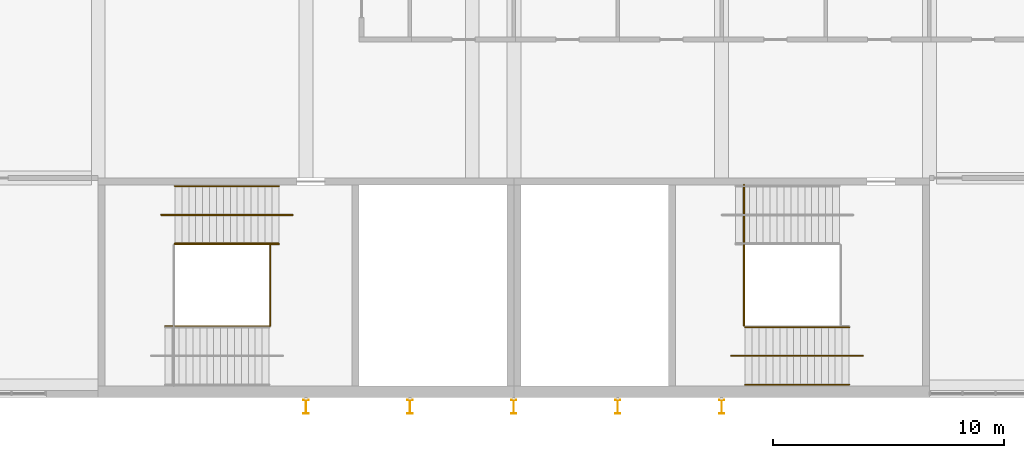
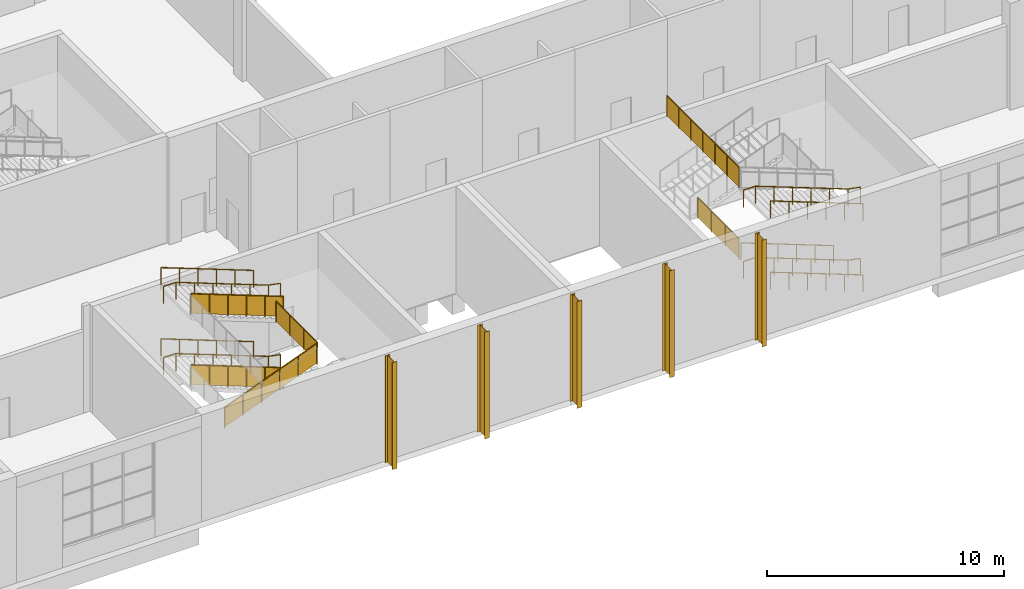
# One storey, part 62 of 84: 17 railings, 5 shading devices.
"""IFC4 building model written with IfcOpenShell, lengths in metres."""

from ifc_helpers import new_model, si_unit, direction, frame, origin, origin_2d, place, context, subcontext, project, spatial, polyline, circle, i_section, outline, extrude, material, material_profile, profile_set, type_object, element, save


model = new_model("IFC4")

# Units and contexts
model_context = context("Model", 3, precision=1e-05, world=origin(), true_north=direction((0.0, 1.0)))
body_context = subcontext(model_context, "Body", "Model", "MODEL_VIEW")
ifc_project = project(units=[si_unit("LENGTHUNIT", "METRE"), si_unit("AREAUNIT", "SQUARE_METRE"), si_unit("VOLUMEUNIT", "CUBIC_METRE"), si_unit("PLANEANGLEUNIT", "RADIAN"), si_unit("MASSUNIT", "GRAM", prefix="KILO")], contexts=[model_context])

# Site, building, storey
site_placement = place(None, origin())
site = spatial("IfcSite", under=ifc_project, at=site_placement, CompositionType="ELEMENT")
building_placement = place(site_placement, origin())
building = spatial("IfcBuilding", under=site, at=building_placement, Name="Silverbay Arena", CompositionType="ELEMENT")
storey_placement = place(building_placement, frame((0.0, 0.0, 28.0)))
storey = spatial("IfcBuildingStorey", under=building, at=storey_placement, Name="L04", CompositionType="ELEMENT", Elevation=28.0)

# Railings
ifc_material_1 = material(Name="Stainless steel", Category="steel")
railing_type_1 = type_object("IfcRailingType", Name="Stair guard 1100", PredefinedType="GUARDRAIL", material=ifc_material_1)
railing_1_placement = place(storey_placement, frame((88.8203125, 24.125, 0.114501953125)))
element("IfcRailing", 1, at=railing_1_placement, inside=storey, type_object=railing_type_1, Name="Stair ST-S1 L04 to L05 flight 1 guard right", PredefinedType="GUARDRAIL", context=body_context, shape_type="SweptSolid", body=[
    extrude(circle(Radius=0.02392578125, at=origin_2d()), frame((0.0, 0.0, 1.076171875), z_axis=(-0.93417907455, 0.0, 0.356804507641), x_axis=(0.0, -1.0, 0.0)), (0.0, 0.0, 1.0), 4.817138671875),
    extrude(outline(polyline([(-0.008056640625, 0.046875), (0.907958984375, 0.396728515625), (0.907958984375, 1.39990234375), (-0.008056640625, 1.050048828125), (-0.008056640625, 0.046875)])), frame((0.0, -0.0029296875, 0.0), z_axis=(0.0, 1.0, 0.0), x_axis=(-1.0, 0.0, 0.0)), (0.0, 0.0, 1.0), 0.006103515625),
    extrude(outline(polyline([(-0.008056640625, 0.390625), (0.907958984375, 0.740478515625), (0.907958984375, 1.74365234375), (-0.008056640625, 1.393798828125), (-0.008056640625, 0.390625)])), frame((-0.89990234375, -0.0029296875, 0.0), z_axis=(0.0, 1.0, 0.0), x_axis=(-1.0, 0.0, 0.0)), (0.0, 0.0, 1.0), 0.006103515625),
    extrude(outline(polyline([(-0.008056640625, 0.734375), (0.907958984375, 1.084228515625), (0.907958984375, 2.08740234375), (-0.008056640625, 1.737548828125), (-0.008056640625, 0.734375)])), frame((-1.800048828125, -0.0029296875, 0.0), z_axis=(0.0, 1.0, 0.0), x_axis=(-1.0, 0.0, 0.0)), (0.0, 0.0, 1.0), 0.006103515625),
    extrude(outline(polyline([(-0.008056640625, 1.078125), (0.907958984375, 1.427978515625), (0.907958984375, 2.43115234375), (-0.008056640625, 2.081298828125), (-0.008056640625, 1.078125)])), frame((-2.699951171875, -0.0029296875, 0.0), z_axis=(0.0, 1.0, 0.0), x_axis=(-1.0, 0.0, 0.0)), (0.0, 0.0, 1.0), 0.006103515625),
    extrude(outline(polyline([(-0.008056640625, 1.421875), (0.907958984375, 1.771728515625), (0.907958984375, 2.77490234375), (-0.008056640625, 2.425048828125), (-0.008056640625, 1.421875)])), frame((-3.60009765625, -0.0029296875, 0.0), z_axis=(0.0, 1.0, 0.0), x_axis=(-1.0, 0.0, 0.0)), (0.0, 0.0, 1.0), 0.006103515625),
    extrude(circle(Radius=0.02099609375, at=origin_2d()), origin(), (0.0, 0.0, 1.0), 1.052001953125),
    extrude(circle(Radius=0.02099609375, at=origin_2d()), frame((-0.89990234375, 0.0, 0.34375)), (0.0, 0.0, 1.0), 1.052001953125),
    extrude(circle(Radius=0.02099609375, at=origin_2d()), frame((-1.800048828125, 0.0, 0.6875)), (0.0, 0.0, 1.0), 1.052001953125),
    extrude(circle(Radius=0.02099609375, at=origin_2d()), frame((-2.699951171875, 0.0, 1.03125)), (0.0, 0.0, 1.0), 1.052001953125),
    extrude(circle(Radius=0.02099609375, at=origin_2d()), frame((-3.60009765625, 0.0, 1.375)), (0.0, 0.0, 1.0), 1.052001953125),
    extrude(circle(Radius=0.02099609375, at=origin_2d()), frame((-4.5, 0.0, 1.71875)), (0.0, 0.0, 1.0), 1.052001953125),
])
railing_2_placement = place(storey_placement, frame((83.89990234375, 20.574951171875, 1.947998046875)))
element("IfcRailing", 2, at=railing_2_placement, inside=storey, type_object=railing_type_1, Name="Stair ST-S1 L04 to L05 flight 2 guard left", PredefinedType="GUARDRAIL", context=body_context, shape_type="SweptSolid", body=[
    extrude(circle(Radius=0.02392578125, at=origin_2d()), frame((0.0, 0.0, 1.076171875), z_axis=(0.93417907455, 0.0, 0.356804507641), x_axis=(0.0, 1.0, 0.0)), (0.0, 0.0, 1.0), 4.817138671875),
    extrude(outline(polyline([(-0.008056640625, 0.046875), (0.907958984375, 0.396728515625), (0.907958984375, 1.39990234375), (-0.008056640625, 1.050048828125), (-0.008056640625, 0.046875)])), frame((0.0, 0.0029296875, 0.0), z_axis=(0.0, -1.0, 0.0), x_axis=(1.0, 0.0, 0.0)), (0.0, 0.0, 1.0), 0.006103515625),
    extrude(outline(polyline([(-0.008056640625, 0.390625), (0.907958984375, 0.740478515625), (0.907958984375, 1.74365234375), (-0.008056640625, 1.393798828125), (-0.008056640625, 0.390625)])), frame((0.89990234375, 0.0029296875, 0.0), z_axis=(0.0, -1.0, 0.0), x_axis=(1.0, 0.0, 0.0)), (0.0, 0.0, 1.0), 0.006103515625),
    extrude(outline(polyline([(-0.008056640625, 0.734375), (0.907958984375, 1.084228515625), (0.907958984375, 2.08740234375), (-0.008056640625, 1.737548828125), (-0.008056640625, 0.734375)])), frame((1.800048828125, 0.0029296875, 0.0), z_axis=(0.0, -1.0, 0.0), x_axis=(1.0, 0.0, 0.0)), (0.0, 0.0, 1.0), 0.006103515625),
    extrude(outline(polyline([(-0.008056640625, 1.078125), (0.907958984375, 1.427978515625), (0.907958984375, 2.43115234375), (-0.008056640625, 2.081298828125), (-0.008056640625, 1.078125)])), frame((2.699951171875, 0.0029296875, 0.0), z_axis=(0.0, -1.0, 0.0), x_axis=(1.0, 0.0, 0.0)), (0.0, 0.0, 1.0), 0.006103515625),
    extrude(outline(polyline([(-0.008056640625, 1.421875), (0.907958984375, 1.771728515625), (0.907958984375, 2.77490234375), (-0.008056640625, 2.425048828125), (-0.008056640625, 1.421875)])), frame((3.60009765625, 0.0029296875, 0.0), z_axis=(0.0, -1.0, 0.0), x_axis=(1.0, 0.0, 0.0)), (0.0, 0.0, 1.0), 0.006103515625),
    extrude(circle(Radius=0.02099609375, at=origin_2d()), origin(), (0.0, 0.0, 1.0), 1.052001953125),
    extrude(circle(Radius=0.02099609375, at=origin_2d()), frame((0.89990234375, 0.0, 0.34375)), (0.0, 0.0, 1.0), 1.052001953125),
    extrude(circle(Radius=0.02099609375, at=origin_2d()), frame((1.800048828125, 0.0, 0.6875)), (0.0, 0.0, 1.0), 1.052001953125),
    extrude(circle(Radius=0.02099609375, at=origin_2d()), frame((2.699951171875, 0.0, 1.03125)), (0.0, 0.0, 1.0), 1.052001953125),
    extrude(circle(Radius=0.02099609375, at=origin_2d()), frame((3.60009765625, 0.0, 1.375)), (0.0, 0.0, 1.0), 1.052001953125),
    extrude(circle(Radius=0.02099609375, at=origin_2d()), frame((4.5, 0.0, 1.71875)), (0.0, 0.0, 1.0), 1.052001953125),
])
railing_3_placement = place(storey_placement, frame((88.8203125, 24.125, 3.78125)))
element("IfcRailing", 3, at=railing_3_placement, inside=storey, type_object=railing_type_1, Name="Stair ST-S1 L04 to L05 flight 3 guard right", PredefinedType="GUARDRAIL", context=body_context, shape_type="SweptSolid", body=[
    extrude(circle(Radius=0.02392578125, at=origin_2d()), frame((0.0, 0.0, 1.076171875), z_axis=(-0.93417907455, 0.0, 0.356804507641), x_axis=(0.0, -1.0, 0.0)), (0.0, 0.0, 1.0), 4.817138671875),
    extrude(outline(polyline([(-0.008056640625, 0.046875), (0.907958984375, 0.396728515625), (0.907958984375, 1.39990234375), (-0.008056640625, 1.050048828125), (-0.008056640625, 0.046875)])), frame((0.0, -0.0029296875, 0.0), z_axis=(0.0, 1.0, 0.0), x_axis=(-1.0, 0.0, 0.0)), (0.0, 0.0, 1.0), 0.006103515625),
    extrude(outline(polyline([(-0.008056640625, 0.390625), (0.907958984375, 0.740478515625), (0.907958984375, 1.74365234375), (-0.008056640625, 1.393798828125), (-0.008056640625, 0.390625)])), frame((-0.89990234375, -0.0029296875, 0.0), z_axis=(0.0, 1.0, 0.0), x_axis=(-1.0, 0.0, 0.0)), (0.0, 0.0, 1.0), 0.006103515625),
    extrude(outline(polyline([(-0.008056640625, 0.734375), (0.907958984375, 1.084228515625), (0.907958984375, 2.08740234375), (-0.008056640625, 1.737548828125), (-0.008056640625, 0.734375)])), frame((-1.800048828125, -0.0029296875, 0.0), z_axis=(0.0, 1.0, 0.0), x_axis=(-1.0, 0.0, 0.0)), (0.0, 0.0, 1.0), 0.006103515625),
    extrude(outline(polyline([(-0.008056640625, 1.078125), (0.907958984375, 1.427978515625), (0.907958984375, 2.43115234375), (-0.008056640625, 2.081298828125), (-0.008056640625, 1.078125)])), frame((-2.699951171875, -0.0029296875, 0.0), z_axis=(0.0, 1.0, 0.0), x_axis=(-1.0, 0.0, 0.0)), (0.0, 0.0, 1.0), 0.006103515625),
    extrude(outline(polyline([(-0.008056640625, 1.421875), (0.907958984375, 1.771728515625), (0.907958984375, 2.77490234375), (-0.008056640625, 2.425048828125), (-0.008056640625, 1.421875)])), frame((-3.60009765625, -0.0029296875, 0.0), z_axis=(0.0, 1.0, 0.0), x_axis=(-1.0, 0.0, 0.0)), (0.0, 0.0, 1.0), 0.006103515625),
    extrude(circle(Radius=0.02099609375, at=origin_2d()), origin(), (0.0, 0.0, 1.0), 1.052001953125),
    extrude(circle(Radius=0.02099609375, at=origin_2d()), frame((-0.89990234375, 0.0, 0.34375)), (0.0, 0.0, 1.0), 1.052001953125),
    extrude(circle(Radius=0.02099609375, at=origin_2d()), frame((-1.800048828125, 0.0, 0.6875)), (0.0, 0.0, 1.0), 1.052001953125),
    extrude(circle(Radius=0.02099609375, at=origin_2d()), frame((-2.699951171875, 0.0, 1.03125)), (0.0, 0.0, 1.0), 1.052001953125),
    extrude(circle(Radius=0.02099609375, at=origin_2d()), frame((-3.60009765625, 0.0, 1.375)), (0.0, 0.0, 1.0), 1.052001953125),
    extrude(circle(Radius=0.02099609375, at=origin_2d()), frame((-4.5, 0.0, 1.71875)), (0.0, 0.0, 1.0), 1.052001953125),
])
for number, where, name in (
    (4, (88.449951171875, 24.10009765625, 3.666748046875), "Stair ST-S1 L04 to L05 landing 2 guard"),
    (5, (108.970458984375, 24.10009765625, 1.833251953125), "Stair ST-S2 L04 to L05 landing 1 guard"),
):
    element("IfcRailing", number, at=place(storey_placement, frame(where)), inside=storey, type_object=railing_type_1, Name=name, PredefinedType="GUARDRAIL", context=body_context, shape_type="SweptSolid", body=[
        extrude(circle(Radius=0.02392578125, at=origin_2d()), frame((0.0, 0.0, 1.076171875), z_axis=(0.0, -1.0, 0.0), x_axis=(1.0, 0.0, 0.0)), (0.0, 0.0, 1.0), 3.5),
        extrude(outline(polyline([(-0.008056640625, 0.050048828125), (1.174560546875, 0.050048828125), (1.174560546875, 1.052978515625), (-0.008056640625, 1.052978515625), (-0.008056640625, 0.050048828125)])), frame((0.0029296875, 0.0, 0.0), z_axis=(-1.0, 0.0, 0.0), x_axis=(0.0, -1.0, 0.0)), (0.0, 0.0, 1.0), 0.006103515625),
        extrude(outline(polyline([(-0.008056640625, 0.050048828125), (1.174560546875, 0.050048828125), (1.174560546875, 1.052978515625), (-0.008056640625, 1.052978515625), (-0.008056640625, 0.050048828125)])), frame((0.0029296875, -1.166748046875, 0.0), z_axis=(-1.0, 0.0, 0.0), x_axis=(0.0, -1.0, 0.0)), (0.0, 0.0, 1.0), 0.006103515625),
        extrude(outline(polyline([(-0.008056640625, 0.050048828125), (1.174560546875, 0.050048828125), (1.174560546875, 1.052978515625), (-0.008056640625, 1.052978515625), (-0.008056640625, 0.050048828125)])), frame((0.0029296875, -2.333251953125, 0.0), z_axis=(-1.0, 0.0, 0.0), x_axis=(0.0, -1.0, 0.0)), (0.0, 0.0, 1.0), 0.006103515625),
        extrude(circle(Radius=0.02099609375, at=origin_2d()), origin(), (0.0, 0.0, 1.0), 1.052001953125),
        extrude(circle(Radius=0.02099609375, at=origin_2d()), frame((0.0, -1.166748046875, 0.0)), (0.0, 0.0, 1.0), 1.052001953125),
        extrude(circle(Radius=0.02099609375, at=origin_2d()), frame((0.0, -2.333251953125, 0.0)), (0.0, 0.0, 1.0), 1.052001953125),
        extrude(circle(Radius=0.02099609375, at=origin_2d()), frame((0.0, -3.5, 0.0)), (0.0, 0.0, 1.0), 1.052001953125),
    ])
railing_4_placement = place(storey_placement, frame((108.970458984375, 20.60009765625, 5.5)))
element("IfcRailing", 6, at=railing_4_placement, inside=storey, type_object=railing_type_1, Name="Stair ST-S2 L04 to L05 landing 3 guard", PredefinedType="GUARDRAIL", context=body_context, shape_type="SweptSolid", body=[
    extrude(circle(Radius=0.02392578125, at=origin_2d()), frame((0.0, 0.0, 1.076171875), z_axis=(0.0, 1.0, 0.0), x_axis=(-1.0, 0.0, 0.0)), (0.0, 0.0, 1.0), 6.099853515625),
    extrude(outline(polyline([(-0.008056640625, 0.050048828125), (1.024658203125, 0.050048828125), (1.024658203125, 1.052978515625), (-0.008056640625, 1.052978515625), (-0.008056640625, 0.050048828125)])), frame((-0.0029296875, 0.0, 0.0), z_axis=(1.0, 0.0, 0.0), x_axis=(0.0, 1.0, 0.0)), (0.0, 0.0, 1.0), 0.006103515625),
    extrude(outline(polyline([(-0.008056640625, 0.050048828125), (1.024658203125, 0.050048828125), (1.024658203125, 1.052978515625), (-0.008056640625, 1.052978515625), (-0.008056640625, 0.050048828125)])), frame((-0.0029296875, 1.0166015625, 0.0), z_axis=(1.0, 0.0, 0.0), x_axis=(0.0, 1.0, 0.0)), (0.0, 0.0, 1.0), 0.006103515625),
    extrude(outline(polyline([(-0.008056640625, 0.050048828125), (1.024658203125, 0.050048828125), (1.024658203125, 1.052978515625), (-0.008056640625, 1.052978515625), (-0.008056640625, 0.050048828125)])), frame((-0.0029296875, 2.033203125, 0.0), z_axis=(1.0, 0.0, 0.0), x_axis=(0.0, 1.0, 0.0)), (0.0, 0.0, 1.0), 0.006103515625),
    extrude(outline(polyline([(-0.008056640625, 0.050048828125), (1.024658203125, 0.050048828125), (1.024658203125, 1.052978515625), (-0.008056640625, 1.052978515625), (-0.008056640625, 0.050048828125)])), frame((-0.0029296875, 3.0498046875, 0.0), z_axis=(1.0, 0.0, 0.0), x_axis=(0.0, 1.0, 0.0)), (0.0, 0.0, 1.0), 0.006103515625),
    extrude(outline(polyline([(-0.008056640625, 0.050048828125), (1.024658203125, 0.050048828125), (1.024658203125, 1.052978515625), (-0.008056640625, 1.052978515625), (-0.008056640625, 0.050048828125)])), frame((-0.0029296875, 4.066650390625, 0.0), z_axis=(1.0, 0.0, 0.0), x_axis=(0.0, 1.0, 0.0)), (0.0, 0.0, 1.0), 0.006103515625),
    extrude(outline(polyline([(-0.008056640625, 0.050048828125), (1.024658203125, 0.050048828125), (1.024658203125, 1.052978515625), (-0.008056640625, 1.052978515625), (-0.008056640625, 0.050048828125)])), frame((-0.0029296875, 5.083251953125, 0.0), z_axis=(1.0, 0.0, 0.0), x_axis=(0.0, 1.0, 0.0)), (0.0, 0.0, 1.0), 0.006103515625),
    extrude(circle(Radius=0.02099609375, at=origin_2d()), origin(), (0.0, 0.0, 1.0), 1.052001953125),
    extrude(circle(Radius=0.02099609375, at=origin_2d()), frame((0.0, 1.0166015625, 0.0)), (0.0, 0.0, 1.0), 1.052001953125),
    extrude(circle(Radius=0.02099609375, at=origin_2d()), frame((0.0, 2.033203125, 0.0)), (0.0, 0.0, 1.0), 1.052001953125),
    extrude(circle(Radius=0.02099609375, at=origin_2d()), frame((0.0, 3.0498046875, 0.0)), (0.0, 0.0, 1.0), 1.052001953125),
    extrude(circle(Radius=0.02099609375, at=origin_2d()), frame((0.0, 4.066650390625, 0.0)), (0.0, 0.0, 1.0), 1.052001953125),
    extrude(circle(Radius=0.02099609375, at=origin_2d()), frame((0.0, 5.083251953125, 0.0)), (0.0, 0.0, 1.0), 1.052001953125),
    extrude(circle(Radius=0.02099609375, at=origin_2d()), frame((0.0, 6.099853515625, 0.0)), (0.0, 0.0, 1.0), 1.052001953125),
])
ifc_material_2 = material(Name="Stainless steel", Category="steel")
railing_type_2 = type_object("IfcRailingType", Name="Stair handrail 900", PredefinedType="HANDRAIL", material=ifc_material_2)
for number, where, name in (
    (7, (88.8203125, 26.64990234375, 0.114501953125), "Stair ST-S1 L04 to L05 flight 1 handrail left"),
    (8, (88.8203125, 24.1640625, 0.114501953125), "Stair ST-S1 L04 to L05 flight 1 handrail right"),
):
    element("IfcRailing", number, at=place(storey_placement, frame(where)), inside=storey, type_object=railing_type_2, Name=name, PredefinedType="HANDRAIL", context=body_context, shape_type="SweptSolid", body=[
        extrude(circle(Radius=0.02392578125, at=origin_2d()), frame((0.0, 0.0, 0.8759765625), z_axis=(-0.93417907455, 0.0, 0.356804507641), x_axis=(0.0, -1.0, 0.0)), (0.0, 0.0, 1.0), 4.817138671875),
        extrude(circle(Radius=0.02099609375, at=origin_2d()), origin(), (0.0, 0.0, 1.0), 0.851806640625),
        extrude(circle(Radius=0.02099609375, at=origin_2d()), frame((-0.89990234375, 0.0, 0.34375)), (0.0, 0.0, 1.0), 0.851806640625),
        extrude(circle(Radius=0.02099609375, at=origin_2d()), frame((-1.800048828125, 0.0, 0.6875)), (0.0, 0.0, 1.0), 0.851806640625),
        extrude(circle(Radius=0.02099609375, at=origin_2d()), frame((-2.699951171875, 0.0, 1.03125)), (0.0, 0.0, 1.0), 0.851806640625),
        extrude(circle(Radius=0.02099609375, at=origin_2d()), frame((-3.60009765625, 0.0, 1.375)), (0.0, 0.0, 1.0), 0.851806640625),
        extrude(circle(Radius=0.02099609375, at=origin_2d()), frame((-4.5, 0.0, 1.71875)), (0.0, 0.0, 1.0), 0.851806640625),
    ])
railing_5_placement = place(storey_placement, frame((89.42041015625, 25.39990234375, 0.0)))
element("IfcRailing", 9, at=railing_5_placement, inside=storey, type_object=railing_type_2, Name="Stair ST-S1 L04 to L05 flight 1 central handrail", PredefinedType="HANDRAIL", context=body_context, shape_type="SweptSolid", body=[
    extrude(circle(Radius=0.02392578125, at=origin_2d()), frame((0.0, 0.0, 0.8759765625), z_axis=(-0.982279053969, 0.0, 0.187424278402), x_axis=(0.0, -1.0, 0.0)), (0.0, 0.0, 1.0), 0.61083984375),
    extrude(circle(Radius=0.02392578125, at=origin_2d()), frame((-0.60009765625, 0.0, 0.990234375), z_axis=(-0.93417907455, 0.0, 0.356804507641), x_axis=(0.0, -1.0, 0.0)), (0.0, 0.0, 1.0), 4.817138671875),
    extrude(circle(Radius=0.02392578125, at=origin_2d()), frame((-5.10009765625, 0.0, 2.708984375), z_axis=(-1.0, 0.0, 0.0), x_axis=(0.0, -1.0, 0.0)), (0.0, 0.0, 1.0), 0.599853515625),
    extrude(circle(Radius=0.02099609375, at=origin_2d()), origin(), (0.0, 0.0, 1.0), 0.851806640625),
    extrude(circle(Radius=0.02099609375, at=origin_2d()), frame((-0.60009765625, 0.0, 0.114501953125)), (0.0, 0.0, 1.0), 0.851806640625),
    extrude(circle(Radius=0.02099609375, at=origin_2d()), frame((-1.5, 0.0, 0.458251953125)), (0.0, 0.0, 1.0), 0.851806640625),
    extrude(circle(Radius=0.02099609375, at=origin_2d()), frame((-2.400146484375, 0.0, 0.802001953125)), (0.0, 0.0, 1.0), 0.851806640625),
    extrude(circle(Radius=0.02099609375, at=origin_2d()), frame((-3.300048828125, 0.0, 1.145751953125)), (0.0, 0.0, 1.0), 0.851806640625),
    extrude(circle(Radius=0.02099609375, at=origin_2d()), frame((-4.2001953125, 0.0, 1.489501953125)), (0.0, 0.0, 1.0), 0.851806640625),
    extrude(circle(Radius=0.02099609375, at=origin_2d()), frame((-5.10009765625, 0.0, 1.833251953125)), (0.0, 0.0, 1.0), 0.851806640625),
    extrude(circle(Radius=0.02099609375, at=origin_2d()), frame((-5.699951171875, 0.0, 1.833251953125)), (0.0, 0.0, 1.0), 0.851806640625),
])
for number, where, name in (
    (10, (88.8203125, 26.64990234375, 3.78125), "Stair ST-S1 L04 to L05 flight 3 handrail left"),
    (11, (88.8203125, 24.1640625, 3.78125), "Stair ST-S1 L04 to L05 flight 3 handrail right"),
):
    element("IfcRailing", number, at=place(storey_placement, frame(where)), inside=storey, type_object=railing_type_2, Name=name, PredefinedType="HANDRAIL", context=body_context, shape_type="SweptSolid", body=[
        extrude(circle(Radius=0.02392578125, at=origin_2d()), frame((0.0, 0.0, 0.8759765625), z_axis=(-0.93417907455, 0.0, 0.356804507641), x_axis=(0.0, -1.0, 0.0)), (0.0, 0.0, 1.0), 4.817138671875),
        extrude(circle(Radius=0.02099609375, at=origin_2d()), origin(), (0.0, 0.0, 1.0), 0.851806640625),
        extrude(circle(Radius=0.02099609375, at=origin_2d()), frame((-0.89990234375, 0.0, 0.34375)), (0.0, 0.0, 1.0), 0.851806640625),
        extrude(circle(Radius=0.02099609375, at=origin_2d()), frame((-1.800048828125, 0.0, 0.6875)), (0.0, 0.0, 1.0), 0.851806640625),
        extrude(circle(Radius=0.02099609375, at=origin_2d()), frame((-2.699951171875, 0.0, 1.03125)), (0.0, 0.0, 1.0), 0.851806640625),
        extrude(circle(Radius=0.02099609375, at=origin_2d()), frame((-3.60009765625, 0.0, 1.375)), (0.0, 0.0, 1.0), 0.851806640625),
        extrude(circle(Radius=0.02099609375, at=origin_2d()), frame((-4.5, 0.0, 1.71875)), (0.0, 0.0, 1.0), 0.851806640625),
    ])
railing_6_placement = place(storey_placement, frame((89.42041015625, 25.39990234375, 3.666748046875)))
element("IfcRailing", 12, at=railing_6_placement, inside=storey, type_object=railing_type_2, Name="Stair ST-S1 L04 to L05 flight 3 central handrail", PredefinedType="HANDRAIL", context=body_context, shape_type="SweptSolid", body=[
    extrude(circle(Radius=0.02392578125, at=origin_2d()), frame((0.0, 0.0, 0.8759765625), z_axis=(-0.982279053969, 0.0, 0.187424278402), x_axis=(0.0, -1.0, 0.0)), (0.0, 0.0, 1.0), 0.61083984375),
    extrude(circle(Radius=0.02392578125, at=origin_2d()), frame((-0.60009765625, 0.0, 0.990234375), z_axis=(-0.93417907455, 0.0, 0.356804507641), x_axis=(0.0, -1.0, 0.0)), (0.0, 0.0, 1.0), 4.817138671875),
    extrude(circle(Radius=0.02392578125, at=origin_2d()), frame((-5.10009765625, 0.0, 2.708984375), z_axis=(-1.0, 0.0, 0.0), x_axis=(0.0, -1.0, 0.0)), (0.0, 0.0, 1.0), 0.599853515625),
    extrude(circle(Radius=0.02099609375, at=origin_2d()), origin(), (0.0, 0.0, 1.0), 0.851806640625),
    extrude(circle(Radius=0.02099609375, at=origin_2d()), frame((-0.60009765625, 0.0, 0.114501953125)), (0.0, 0.0, 1.0), 0.851806640625),
    extrude(circle(Radius=0.02099609375, at=origin_2d()), frame((-1.5, 0.0, 0.458251953125)), (0.0, 0.0, 1.0), 0.851806640625),
    extrude(circle(Radius=0.02099609375, at=origin_2d()), frame((-2.400146484375, 0.0, 0.802001953125)), (0.0, 0.0, 1.0), 0.851806640625),
    extrude(circle(Radius=0.02099609375, at=origin_2d()), frame((-3.300048828125, 0.0, 1.145751953125)), (0.0, 0.0, 1.0), 0.851806640625),
    extrude(circle(Radius=0.02099609375, at=origin_2d()), frame((-4.2001953125, 0.0, 1.489501953125)), (0.0, 0.0, 1.0), 0.851806640625),
    extrude(circle(Radius=0.02099609375, at=origin_2d()), frame((-5.10009765625, 0.0, 1.833251953125)), (0.0, 0.0, 1.0), 0.851806640625),
    extrude(circle(Radius=0.02099609375, at=origin_2d()), frame((-5.699951171875, 0.0, 1.833251953125)), (0.0, 0.0, 1.0), 0.851806640625),
])
for number, where, name in (
    (13, (113.5205078125, 20.535888671875, 0.114501953125), "Stair ST-S2 L04 to L05 flight 1 handrail left"),
    (14, (113.5205078125, 18.050048828125, 0.114501953125), "Stair ST-S2 L04 to L05 flight 1 handrail right"),
):
    element("IfcRailing", number, at=place(storey_placement, frame(where)), inside=storey, type_object=railing_type_2, Name=name, PredefinedType="HANDRAIL", context=body_context, shape_type="SweptSolid", body=[
        extrude(circle(Radius=0.02392578125, at=origin_2d()), frame((0.0, 0.0, 0.8759765625), z_axis=(-0.93417907455, 0.0, 0.356804507641), x_axis=(0.0, -1.0, 0.0)), (0.0, 0.0, 1.0), 4.817138671875),
        extrude(circle(Radius=0.02099609375, at=origin_2d()), origin(), (0.0, 0.0, 1.0), 0.851806640625),
        extrude(circle(Radius=0.02099609375, at=origin_2d()), frame((-0.89990234375, 0.0, 0.34375)), (0.0, 0.0, 1.0), 0.851806640625),
        extrude(circle(Radius=0.02099609375, at=origin_2d()), frame((-1.800048828125, 0.0, 0.6875)), (0.0, 0.0, 1.0), 0.851806640625),
        extrude(circle(Radius=0.02099609375, at=origin_2d()), frame((-2.699951171875, 0.0, 1.03125)), (0.0, 0.0, 1.0), 0.851806640625),
        extrude(circle(Radius=0.02099609375, at=origin_2d()), frame((-3.60009765625, 0.0, 1.375)), (0.0, 0.0, 1.0), 0.851806640625),
        extrude(circle(Radius=0.02099609375, at=origin_2d()), frame((-4.5, 0.0, 1.71875)), (0.0, 0.0, 1.0), 0.851806640625),
    ])
railing_7_placement = place(storey_placement, frame((114.120361328125, 19.300048828125, 0.0)))
element("IfcRailing", 15, at=railing_7_placement, inside=storey, type_object=railing_type_2, Name="Stair ST-S2 L04 to L05 flight 1 central handrail", PredefinedType="HANDRAIL", context=body_context, shape_type="SweptSolid", body=[
    extrude(circle(Radius=0.02392578125, at=origin_2d()), frame((0.0, 0.0, 0.8759765625), z_axis=(-0.982265007716, 0.0, 0.187497878966), x_axis=(0.0, -1.0, 0.0)), (0.0, 0.0, 1.0), 0.610595703125),
    extrude(circle(Radius=0.02392578125, at=origin_2d()), frame((-0.599853515625, 0.0, 0.990234375), z_axis=(-0.93417907455, 0.0, 0.356804507641), x_axis=(0.0, -1.0, 0.0)), (0.0, 0.0, 1.0), 4.817138671875),
    extrude(circle(Radius=0.02392578125, at=origin_2d()), frame((-5.099853515625, 0.0, 2.708984375), z_axis=(-1.0, 0.0, 0.0), x_axis=(0.0, -1.0, 0.0)), (0.0, 0.0, 1.0), 0.60009765625),
    extrude(circle(Radius=0.02099609375, at=origin_2d()), origin(), (0.0, 0.0, 1.0), 0.851806640625),
    extrude(circle(Radius=0.02099609375, at=origin_2d()), frame((-0.599853515625, 0.0, 0.114501953125)), (0.0, 0.0, 1.0), 0.851806640625),
    extrude(circle(Radius=0.02099609375, at=origin_2d()), frame((-1.499755859375, 0.0, 0.458251953125)), (0.0, 0.0, 1.0), 0.851806640625),
    extrude(circle(Radius=0.02099609375, at=origin_2d()), frame((-2.39990234375, 0.0, 0.802001953125)), (0.0, 0.0, 1.0), 0.851806640625),
    extrude(circle(Radius=0.02099609375, at=origin_2d()), frame((-3.2998046875, 0.0, 1.145751953125)), (0.0, 0.0, 1.0), 0.851806640625),
    extrude(circle(Radius=0.02099609375, at=origin_2d()), frame((-4.199951171875, 0.0, 1.489501953125)), (0.0, 0.0, 1.0), 0.851806640625),
    extrude(circle(Radius=0.02099609375, at=origin_2d()), frame((-5.099853515625, 0.0, 1.833251953125)), (0.0, 0.0, 1.0), 0.851806640625),
    extrude(circle(Radius=0.02099609375, at=origin_2d()), frame((-5.699951171875, 0.0, 1.833251953125)), (0.0, 0.0, 1.0), 0.851806640625),
])
railing_8_placement = place(storey_placement, frame((113.5205078125, 18.050048828125, 3.78125)))
element("IfcRailing", 16, at=railing_8_placement, inside=storey, type_object=railing_type_2, Name="Stair ST-S2 L04 to L05 flight 3 handrail right", PredefinedType="HANDRAIL", context=body_context, shape_type="SweptSolid", body=[
    extrude(circle(Radius=0.02392578125, at=origin_2d()), frame((0.0, 0.0, 0.8759765625), z_axis=(-0.93417907455, 0.0, 0.356804507641), x_axis=(0.0, -1.0, 0.0)), (0.0, 0.0, 1.0), 4.817138671875),
    extrude(circle(Radius=0.02099609375, at=origin_2d()), origin(), (0.0, 0.0, 1.0), 0.851806640625),
    extrude(circle(Radius=0.02099609375, at=origin_2d()), frame((-0.89990234375, 0.0, 0.34375)), (0.0, 0.0, 1.0), 0.851806640625),
    extrude(circle(Radius=0.02099609375, at=origin_2d()), frame((-1.800048828125, 0.0, 0.6875)), (0.0, 0.0, 1.0), 0.851806640625),
    extrude(circle(Radius=0.02099609375, at=origin_2d()), frame((-2.699951171875, 0.0, 1.03125)), (0.0, 0.0, 1.0), 0.851806640625),
    extrude(circle(Radius=0.02099609375, at=origin_2d()), frame((-3.60009765625, 0.0, 1.375)), (0.0, 0.0, 1.0), 0.851806640625),
    extrude(circle(Radius=0.02099609375, at=origin_2d()), frame((-4.5, 0.0, 1.71875)), (0.0, 0.0, 1.0), 0.851806640625),
])
railing_9_placement = place(storey_placement, frame((114.120361328125, 19.300048828125, 3.666748046875)))
element("IfcRailing", 17, at=railing_9_placement, inside=storey, type_object=railing_type_2, Name="Stair ST-S2 L04 to L05 flight 3 central handrail", PredefinedType="HANDRAIL", context=body_context, shape_type="SweptSolid", body=[
    extrude(circle(Radius=0.02392578125, at=origin_2d()), frame((0.0, 0.0, 0.8759765625), z_axis=(-0.982265007716, 0.0, 0.187497878966), x_axis=(0.0, -1.0, 0.0)), (0.0, 0.0, 1.0), 0.610595703125),
    extrude(circle(Radius=0.02392578125, at=origin_2d()), frame((-0.599853515625, 0.0, 0.990234375), z_axis=(-0.93417907455, 0.0, 0.356804507641), x_axis=(0.0, -1.0, 0.0)), (0.0, 0.0, 1.0), 4.817138671875),
    extrude(circle(Radius=0.02392578125, at=origin_2d()), frame((-5.099853515625, 0.0, 2.708984375), z_axis=(-1.0, 0.0, 0.0), x_axis=(0.0, -1.0, 0.0)), (0.0, 0.0, 1.0), 0.60009765625),
    extrude(circle(Radius=0.02099609375, at=origin_2d()), origin(), (0.0, 0.0, 1.0), 0.851806640625),
    extrude(circle(Radius=0.02099609375, at=origin_2d()), frame((-0.599853515625, 0.0, 0.114501953125)), (0.0, 0.0, 1.0), 0.851806640625),
    extrude(circle(Radius=0.02099609375, at=origin_2d()), frame((-1.499755859375, 0.0, 0.458251953125)), (0.0, 0.0, 1.0), 0.851806640625),
    extrude(circle(Radius=0.02099609375, at=origin_2d()), frame((-2.39990234375, 0.0, 0.802001953125)), (0.0, 0.0, 1.0), 0.851806640625),
    extrude(circle(Radius=0.02099609375, at=origin_2d()), frame((-3.2998046875, 0.0, 1.145751953125)), (0.0, 0.0, 1.0), 0.851806640625),
    extrude(circle(Radius=0.02099609375, at=origin_2d()), frame((-4.199951171875, 0.0, 1.489501953125)), (0.0, 0.0, 1.0), 0.851806640625),
    extrude(circle(Radius=0.02099609375, at=origin_2d()), frame((-5.099853515625, 0.0, 1.833251953125)), (0.0, 0.0, 1.0), 0.851806640625),
    extrude(circle(Radius=0.02099609375, at=origin_2d()), frame((-5.699951171875, 0.0, 1.833251953125)), (0.0, 0.0, 1.0), 0.851806640625),
])

# Shading devices
ifc_material_3 = material(Name="Steel S355", Category="steel")
ifc_material_profile = material_profile(ifc_material_3, i_section(OverallWidth=0.2275390625, OverallDepth=0.6025390625, WebThickness=0.010498046875, FlangeThickness=0.014892578125, at=origin_2d()), Name="UB 610x229x101")
ifc_profile_set = profile_set([ifc_material_profile], Name="Steel S355")
shading_device_type = type_object("IfcShadingDeviceType", Name="Steel fin UB 610x229x101", PredefinedType="USERDEFINED", material=ifc_profile_set)
for number, where, z_axis, x_axis, name in (
    (18, (90.0, 17.0986328125, 0.0), (0.0, 0.0, 1.0), (1.0, 0.0, 0.0), "Steel fin S L04 8"),
    (19, (94.5, 17.0986328125, 0.0), (0.0, 0.0, 1.0), (1.0, 0.0, 0.0), "Steel fin S L04 9"),
    (20, (99.0, 17.0986328125, 0.0), (0.0, 0.0, 1.0), (1.0, 0.0, 0.0), "Steel fin S L04 10"),
    (21, (103.5, 17.0986328125, 0.0), (0.0, 0.0, 1.0), (1.0, 0.0, 0.0), "Steel fin S L04 11"),
    (22, (108.0, 17.0986328125, 0.0), (0.0, 0.0, 1.0), (1.0, 0.0, 0.0), "Steel fin S L04 12"),
):
    element("IfcShadingDevice", number, at=place(storey_placement, frame(where, z_axis=z_axis, x_axis=x_axis)), inside=storey, type_object=shading_device_type, Name=name, ObjectType="FIN", PredefinedType="USERDEFINED", context=body_context, shape_type="SweptSolid", body=[
        extrude(i_section(OverallWidth=0.2275390625, OverallDepth=0.6025390625, WebThickness=0.010498046875, FlangeThickness=0.014892578125, at=origin_2d()), origin(), (0.0, 0.0, 1.0), 5.5),
    ])

save(model, "model.ifc")
